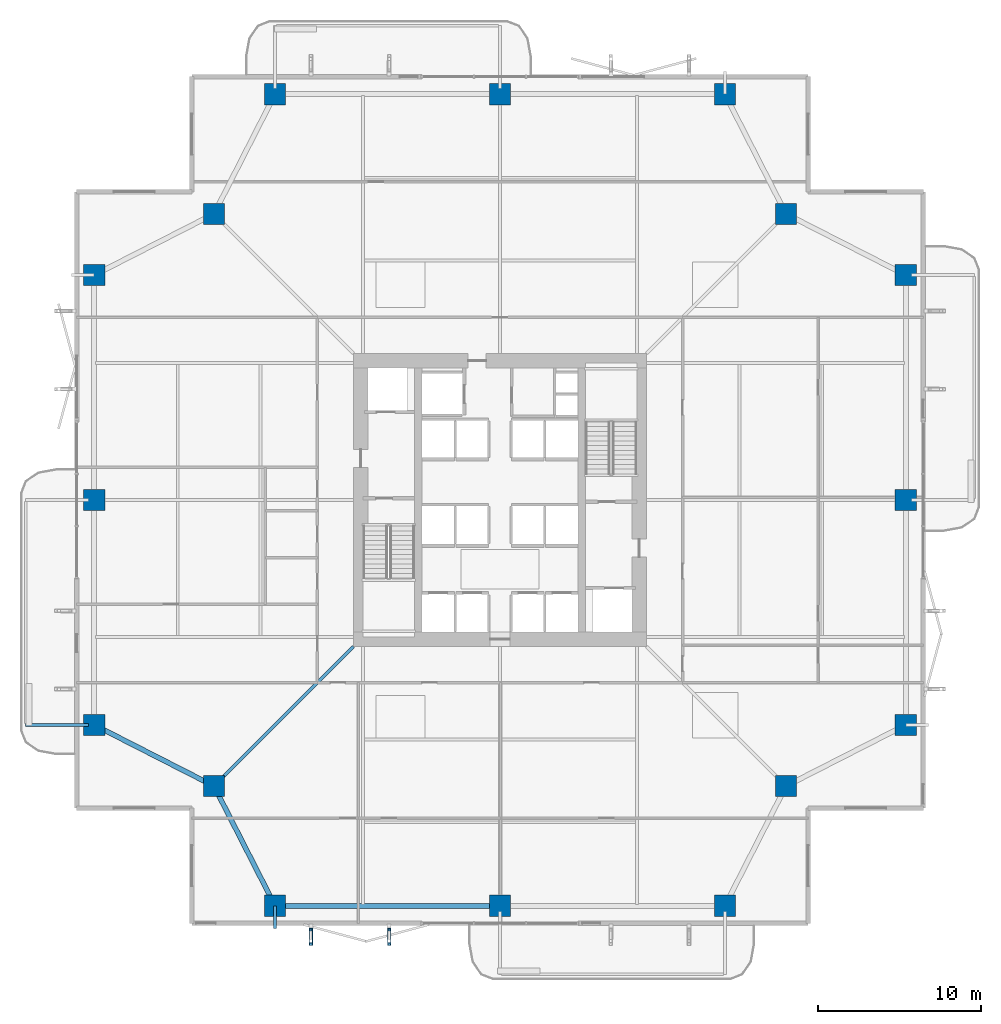
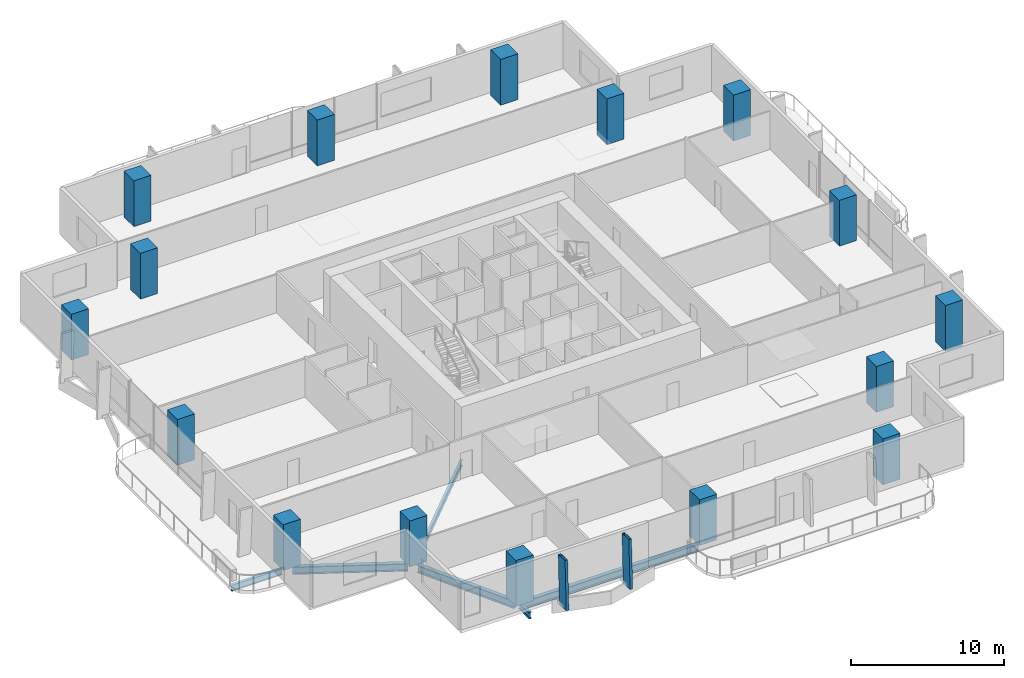
# One storey, part 1 of 24: 16 columns, 6 beams, 2 members.
"""IFC4 building model written with IfcOpenShell, lengths in metres."""

from ifc_helpers import new_model, si_unit, direction, frame, origin, origin_2d, place, context, subcontext, project, spatial, rectangle, hollow_rectangle, i_section, extrude, material, material_profile, profile_set, type_object, element, save


model = new_model("IFC4")

# Units and contexts
model_context = context("Model", 3, precision=1e-05, world=origin(), true_north=direction((0.0, 1.0)))
body_context = subcontext(model_context, "Body", "Model", "MODEL_VIEW")
ifc_project = project(units=[si_unit("LENGTHUNIT", "METRE"), si_unit("AREAUNIT", "SQUARE_METRE"), si_unit("VOLUMEUNIT", "CUBIC_METRE"), si_unit("PLANEANGLEUNIT", "RADIAN"), si_unit("MASSUNIT", "GRAM", prefix="KILO")], contexts=[model_context])

# Site, building, storey
site_placement = place(None, origin())
site = spatial("IfcSite", under=ifc_project, at=site_placement, CompositionType="ELEMENT")
building_placement = place(site_placement, origin())
building = spatial("IfcBuilding", under=site, at=building_placement, Name="Belovzor Exchange Tower", CompositionType="ELEMENT")
storey_placement = place(building_placement, frame((0.0, 0.0, 121.199951171875)))
storey = spatial("IfcBuildingStorey", under=building, at=storey_placement, Name="L29", CompositionType="ELEMENT", Elevation=121.199951171875)

# Columns
ifc_material_1 = material(Name="Concrete C60/75", Category="concrete")
ifc_material_profile_1 = material_profile(ifc_material_1, rectangle(XDim=1.300048828125, YDim=1.300048828125, at=origin_2d()))
ifc_profile_set_1 = profile_set([ifc_material_profile_1], Name="Concrete C60/75")
column_type = type_object("IfcColumnType", Name="Reinforced Concrete Tower Column 1300x1300", PredefinedType="COLUMN", material=ifc_profile_set_1)
for number, where, z_axis, x_axis, name in (
    (1, (15.0, 3.89990234375, 0.0029296875), (0.0, 0.0, 1.0), (1.0, 0.0, 0.0), "COL-T130 Reinforced Concrete Tower Column 1300x1300"),
    (2, (28.800048828125, 3.89990234375, 0.0029296875), (0.0, 0.0, 1.0), (1.0, 0.0, 0.0), "COL-T130 Reinforced Concrete Tower Column 1300x1300"),
    (3, (42.60009765625, 3.89990234375, 0.0029296875), (0.0, 0.0, 1.0), (1.0, 0.0, 0.0), "COL-T130 Reinforced Concrete Tower Column 1300x1300"),
    (4, (53.699951171875, 15.0, 0.0029296875), (0.0, 0.0, 1.0), (1.0, 0.0, 0.0), "COL-T130 Reinforced Concrete Tower Column 1300x1300"),
    (5, (53.699951171875, 28.800048828125, 0.0029296875), (0.0, 0.0, 1.0), (1.0, 0.0, 0.0), "COL-T130 Reinforced Concrete Tower Column 1300x1300"),
    (6, (53.699951171875, 42.60009765625, 0.0029296875), (0.0, 0.0, 1.0), (1.0, 0.0, 0.0), "COL-T130 Reinforced Concrete Tower Column 1300x1300"),
    (7, (42.60009765625, 53.699951171875, 0.0029296875), (0.0, 0.0, 1.0), (1.0, 0.0, 0.0), "COL-T130 Reinforced Concrete Tower Column 1300x1300"),
    (8, (28.800048828125, 53.699951171875, 0.0029296875), (0.0, 0.0, 1.0), (1.0, 0.0, 0.0), "COL-T130 Reinforced Concrete Tower Column 1300x1300"),
    (9, (15.0, 53.699951171875, 0.0029296875), (0.0, 0.0, 1.0), (1.0, 0.0, 0.0), "COL-T130 Reinforced Concrete Tower Column 1300x1300"),
    (10, (3.89990234375, 42.60009765625, 0.0029296875), (0.0, 0.0, 1.0), (1.0, 0.0, 0.0), "COL-T130 Reinforced Concrete Tower Column 1300x1300"),
    (11, (3.89990234375, 28.800048828125, 0.0029296875), (0.0, 0.0, 1.0), (1.0, 0.0, 0.0), "COL-T130 Reinforced Concrete Tower Column 1300x1300"),
    (12, (3.89990234375, 15.0, 0.0029296875), (0.0, 0.0, 1.0), (1.0, 0.0, 0.0), "COL-T130 Reinforced Concrete Tower Column 1300x1300"),
    (13, (11.25, 11.25, 0.0029296875), (0.0, 0.0, 1.0), (1.0, 0.0, 0.0), "COL-T130 Reinforced Concrete Tower Column 1300x1300"),
    (14, (46.35009765625, 11.25, 0.0029296875), (0.0, 0.0, 1.0), (1.0, 0.0, 0.0), "COL-T130 Reinforced Concrete Tower Column 1300x1300"),
    (15, (46.35009765625, 46.35009765625, 0.0029296875), (0.0, 0.0, 1.0), (1.0, 0.0, 0.0), "COL-T130 Reinforced Concrete Tower Column 1300x1300"),
    (16, (11.25, 46.35009765625, 0.0029296875), (0.0, 0.0, 1.0), (1.0, 0.0, 0.0), "COL-T130 Reinforced Concrete Tower Column 1300x1300"),
):
    element("IfcColumn", number, at=place(storey_placement, frame(where, z_axis=z_axis, x_axis=x_axis)), inside=storey, type_object=column_type, Name=name, PredefinedType="COLUMN", context=body_context, shape_type="SweptSolid", body=[
        extrude(rectangle(XDim=1.300048828125, YDim=1.300048828125, at=origin_2d()), origin(), (0.0, 0.0, 1.0), 3.64404296875),
    ])

# Beams
ifc_material_2 = material(Name="Steel S355", Category="steel")
ifc_material_profile_2 = material_profile(ifc_material_2, i_section(OverallWidth=0.199951171875, OverallDepth=0.5, WebThickness=0.01025390625, FlangeThickness=0.01611328125, at=origin_2d()))
ifc_profile_set_2 = profile_set([ifc_material_profile_2], Name="Steel S355")
beam_type_1 = type_object("IfcBeamType", Name="Planted Balcony Cantilever Beam IPE 500", PredefinedType="BEAM", material=ifc_profile_set_2)
beam_1_placement = place(storey_placement, frame((3.5419921875, 15.0, -0.5), z_axis=(-1.0, 0.0, 0.0), x_axis=(0.0, -1.0, 0.0)))
element("IfcBeam", 17, at=beam_1_placement, inside=storey, type_object=beam_type_1, Name="BC-500 Planted Balcony Cantilever Beam IPE 500", PredefinedType="BEAM", context=body_context, shape_type="SweptSolid", body=[
    extrude(i_section(OverallWidth=0.199951171875, OverallDepth=0.5, WebThickness=0.01025390625, FlangeThickness=0.01611328125, at=origin_2d()), origin(), (0.0, 0.0, 1.0), 3.85009765625),
])
beam_2_placement = place(storey_placement, frame((15.0, 3.89990234375, -0.5), z_axis=(0.0, -1.0, 0.0), x_axis=(1.0, 0.0, 0.0)))
element("IfcBeam", 18, at=beam_2_placement, inside=storey, type_object=beam_type_1, Name="BC-500 Planted Balcony Cantilever Beam IPE 500", PredefinedType="BEAM", context=body_context, shape_type="SweptSolid", body=[
    extrude(i_section(OverallWidth=0.199951171875, OverallDepth=0.5, WebThickness=0.01025390625, FlangeThickness=0.01611328125, at=origin_2d()), origin(), (0.0, 0.0, 1.0), 1.39990234375),
])

# Members
ifc_material_3 = material(Name="Extruded Architectural Terracotta on Steel S355 Carrier", Category="masonry")
ifc_material_profile_3 = material_profile(ifc_material_3, hollow_rectangle(XDim=0.199951171875, YDim=0.89990234375, WallThickness=0.011962890625, at=origin_2d()))
ifc_profile_set_3 = profile_set([ifc_material_profile_3], Name="Extruded Architectural Terracotta on Steel S355 Carrier")
member_type = type_object("IfcMemberType", Name="Sweeping Terracotta Baguette Fin Assembly 1250", PredefinedType="USERDEFINED", material=ifc_profile_set_3)
for number, where, z_axis, x_axis, name in (
    (19, (17.199951171875, 1.9169921875, -0.25), (0.0, 0.039718243113, 0.999210919258), (-1.0, 0.0, 0.0), "FIN-TC125 Terracotta Facade Fin L29 S1"),
    (20, (22.0, 1.9169921875, -0.25), (0.0, 0.039718243113, 0.999210919258), (-1.0, 0.0, 0.0), "FIN-TC125 Terracotta Facade Fin L29 S2"),
):
    element("IfcMember", number, at=place(storey_placement, frame(where, z_axis=z_axis, x_axis=x_axis)), inside=storey, type_object=member_type, Name=name, ObjectType="FIN", PredefinedType="USERDEFINED", context=body_context, shape_type="SweptSolid", body=[
        extrude(hollow_rectangle(XDim=0.199951171875, YDim=0.89990234375, WallThickness=0.011962890625, at=origin_2d()), origin(), (0.0, 0.0, 1.0), 3.9033203125),
    ])

# Beams
ifc_material_4 = material(Name="Steel S355", Category="steel")
ifc_material_profile_4 = material_profile(ifc_material_4, i_section(OverallWidth=0.300048828125, OverallDepth=0.60009765625, WebThickness=0.015380859375, FlangeThickness=0.030029296875, at=origin_2d()))
ifc_profile_set_4 = profile_set([ifc_material_profile_4], Name="Steel S355")
beam_type_2 = type_object("IfcBeamType", Name="Zone 2 Primary Perimeter Girder HEB 600", PredefinedType="BEAM", material=ifc_profile_set_4)
beam_3_placement = place(storey_placement, frame((11.412109375, 10.931884765625, -0.550048828125), z_axis=(0.454506007464, -0.890743671984, 0.0), x_axis=(0.890743671984, 0.454506007464, 0.0)))
element("IfcBeam", 21, at=beam_3_placement, inside=storey, type_object=beam_type_2, Name="FG-Z2 Zone 2 Primary Perimeter Girder HEB 600", PredefinedType="BEAM", context=body_context, shape_type="SweptSolid", body=[
    extrude(i_section(OverallWidth=0.300048828125, OverallDepth=0.60009765625, WebThickness=0.015380859375, FlangeThickness=0.030029296875, at=origin_2d()), origin(), (0.0, 0.0, 1.0), 7.537353515625),
])
beam_4_placement = place(storey_placement, frame((15.35693359375, 3.89990234375, -0.550048828125), z_axis=(1.0, 0.0, 0.0), x_axis=(0.0, 1.0, 0.0)))
element("IfcBeam", 22, at=beam_4_placement, inside=storey, type_object=beam_type_2, Name="FG-Z2 Zone 2 Primary Perimeter Girder HEB 600", PredefinedType="BEAM", context=body_context, shape_type="SweptSolid", body=[
    extrude(i_section(OverallWidth=0.300048828125, OverallDepth=0.60009765625, WebThickness=0.015380859375, FlangeThickness=0.030029296875, at=origin_2d()), origin(), (0.0, 0.0, 1.0), 13.0849609375),
])
beam_5_placement = place(storey_placement, frame((4.218017578125, 14.837890625, -0.550048828125), z_axis=(0.890743671984, -0.454506007464, 0.0), x_axis=(0.454506007464, 0.890743671984, 0.0)))
element("IfcBeam", 23, at=beam_5_placement, inside=storey, type_object=beam_type_2, Name="FG-Z2 Zone 2 Primary Perimeter Girder HEB 600", PredefinedType="BEAM", context=body_context, shape_type="SweptSolid", body=[
    extrude(i_section(OverallWidth=0.300048828125, OverallDepth=0.60009765625, WebThickness=0.015380859375, FlangeThickness=0.030029296875, at=origin_2d()), origin(), (0.0, 0.0, 1.0), 7.537353515625),
])
ifc_material_5 = material(Name="Steel S355", Category="steel")
ifc_material_profile_5 = material_profile(ifc_material_5, i_section(OverallWidth=0.18994140625, OverallDepth=0.449951171875, WebThickness=0.009521484375, FlangeThickness=0.0146484375, at=origin_2d()))
ifc_profile_set_5 = profile_set([ifc_material_profile_5], Name="Steel S355")
beam_type_3 = type_object("IfcBeamType", Name="Zone 2-4 Radial Composite Floor Beam IPE 450", PredefinedType="BEAM", material=ifc_profile_set_5)
beam_6_placement = place(storey_placement, frame((19.800048828125, 19.800048828125, -0.474853515625), z_axis=(-0.707106781187, -0.707106781187, 0.0), x_axis=(0.707106781187, -0.707106781187, 0.0)))
element("IfcBeam", 24, at=beam_6_placement, inside=storey, type_object=beam_type_3, Name="FB-450 Zone 2-4 Radial Composite Floor Beam IPE 450", PredefinedType="BEAM", context=body_context, shape_type="SweptSolid", body=[
    extrude(i_section(OverallWidth=0.18994140625, OverallDepth=0.449951171875, WebThickness=0.009521484375, FlangeThickness=0.0146484375, at=origin_2d()), origin(), (0.0, 0.0, 1.0), 11.632080078125),
])

save(model, "model.ifc")
